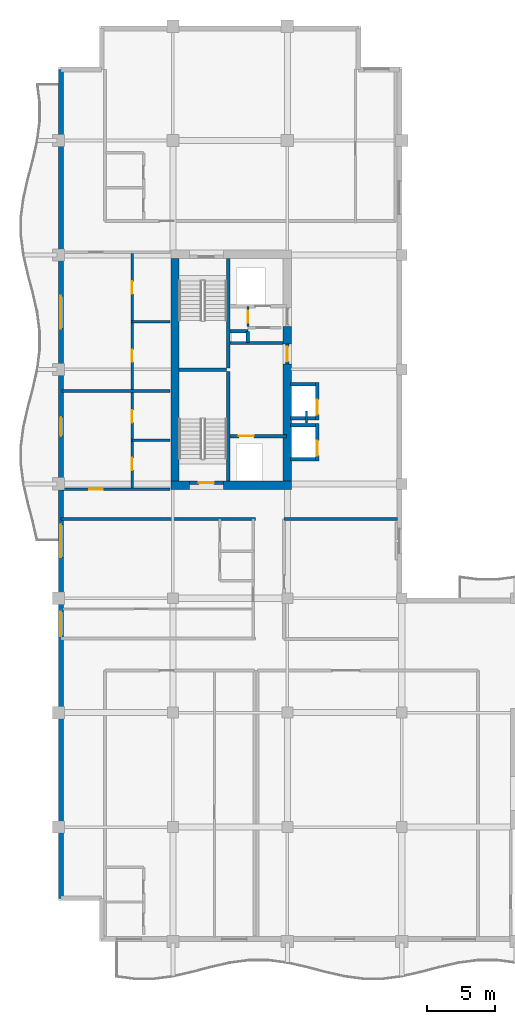
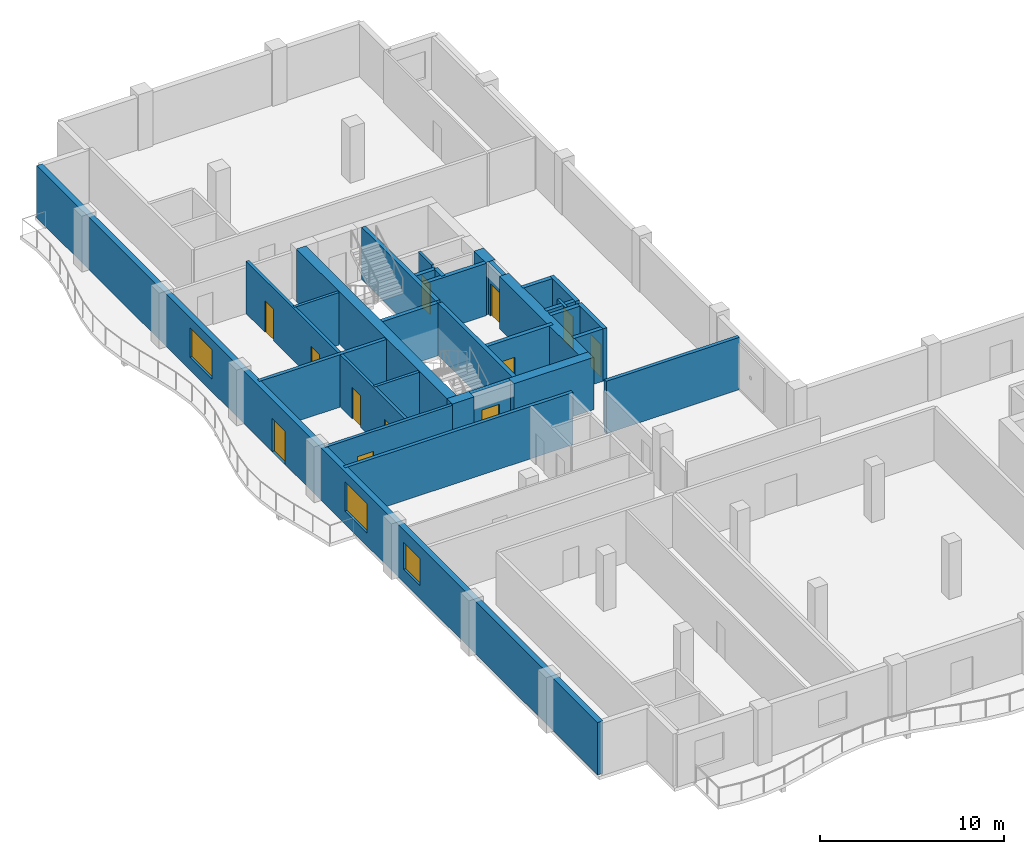
# One storey, part 6 of 12: 31 walls, 12 doors, 3 windows, 15 openings.
"""IFC4 building model written with IfcOpenShell, lengths in metres."""

from ifc_helpers import new_model, si_unit, direction, frame, frame_2d, origin, place, context, subcontext, project, spatial, rectangle, extrude, material, layer, layer_set, type_object, element, fill, save


model = new_model("IFC4")

# Units and contexts
model_context = context("Model", 3, precision=1e-05, world=origin(), true_north=direction((0.0, 1.0)))
body_context = subcontext(model_context, "Body", "Model", "MODEL_VIEW")
ifc_project = project(units=[si_unit("LENGTHUNIT", "METRE"), si_unit("AREAUNIT", "SQUARE_METRE"), si_unit("VOLUMEUNIT", "CUBIC_METRE"), si_unit("PLANEANGLEUNIT", "RADIAN"), si_unit("MASSUNIT", "GRAM", prefix="KILO")], contexts=[model_context])

# Site, building, storey
site_placement = place(None, origin())
site = spatial("IfcSite", under=ifc_project, at=site_placement, CompositionType="ELEMENT")
building_placement = place(site_placement, origin())
building = spatial("IfcBuilding", under=site, at=building_placement, Name="Koriwani Terraces Tower", CompositionType="ELEMENT")
storey_placement = place(building_placement, frame((0.0, 0.0, 271.199951171875)))
storey = spatial("IfcBuildingStorey", under=building, at=storey_placement, Name="L67", CompositionType="ELEMENT", Elevation=271.199951171875)

# Walls
ifc_material_1 = material(Name="Concrete C60/75", Category="concrete")
ifc_layer_1 = layer(ifc_material_1, 0.60009765625, Name="Concrete C60/75")
ifc_layer_set_1 = layer_set([ifc_layer_1], Name="Concrete C60/75")
wall_type_1 = type_object("IfcWallType", Name="WALL_CORE_RC_600", PredefinedType="SHEAR", material=ifc_layer_set_1)
wall_1_placement = place(storey_placement, frame((16.64990234375, 41.89990234375, 0.0), z_axis=(0.0, 0.0, 1.0), x_axis=(1.0, 0.0, 0.0)))
element("IfcWall", 1, at=wall_1_placement, inside=storey, type_object=wall_type_1, Name="L67 West Split Core Shear Wall S1", PredefinedType="SHEAR", context=body_context, shape_type="SweptSolid", body=[
    extrude(rectangle(XDim=1.35009765625, YDim=0.60009765625, at=frame_2d((0.675048828125, 0.0))), origin(), (0.0, 0.0, 1.0), 3.469970703125),
])
wall_2_placement = place(storey_placement, frame((20.5, 41.89990234375, 0.0), z_axis=(0.0, 0.0, 1.0), x_axis=(1.0, 0.0, 0.0)))
element("IfcWall", 2, at=wall_2_placement, inside=storey, type_object=wall_type_1, Name="L67 West Split Core Shear Wall S2", PredefinedType="SHEAR", context=body_context, shape_type="SweptSolid", body=[
    extrude(rectangle(XDim=5.0, YDim=0.60009765625, at=frame_2d((2.5, 0.0))), origin(), (0.0, 0.0, 1.0), 3.469970703125),
])
wall_3_placement = place(storey_placement, frame((16.949951171875, 42.199951171875, 0.0), z_axis=(0.0, 0.0, 1.0), x_axis=(0.0, 1.0, 0.0)))
element("IfcWall", 3, at=wall_3_placement, inside=storey, type_object=wall_type_1, Name="L67 West Split Core Shear Wall W1", PredefinedType="SHEAR", context=body_context, shape_type="SweptSolid", body=[
    extrude(rectangle(XDim=16.35009765625, YDim=0.60009765625, at=frame_2d((8.175048828125, 0.0))), origin(), (0.0, 0.0, 1.0), 3.469970703125),
])
wall_4_placement = place(storey_placement, frame((25.199951171875, 42.199951171875, 0.0), z_axis=(0.0, 0.0, 1.0), x_axis=(0.0, 1.0, 0.0)))
element("IfcWall", 4, at=wall_4_placement, inside=storey, type_object=wall_type_1, Name="L67 West Split Core Shear Wall E1", PredefinedType="SHEAR", context=body_context, shape_type="SweptSolid", body=[
    extrude(rectangle(XDim=8.60009765625, YDim=0.60009765625, at=frame_2d((4.300048828125, 0.0))), origin(), (0.0, 0.0, 1.0), 3.469970703125),
])
wall_5_placement = place(storey_placement, frame((25.199951171875, 52.280029296875, 0.0), z_axis=(0.0, 0.0, 1.0), x_axis=(0.0, 1.0, 0.0)))
element("IfcWall", 5, at=wall_5_placement, inside=storey, type_object=wall_type_1, Name="L67 West Split Core Shear Wall E2", PredefinedType="SHEAR", context=body_context, shape_type="SweptSolid", body=[
    extrude(rectangle(XDim=1.27001953125, YDim=0.60009765625, at=frame_2d((0.635009765625, 0.0))), origin(), (0.0, 0.0, 1.0), 3.469970703125),
])

# Wall, opening, door
ifc_material_2 = material(Name="Autoclaved Cellular Concrete Blockwork", Category="masonry")
ifc_layer_2 = layer(ifc_material_2, 0.199951171875, Name="Autoclaved Cellular Concrete Blockwork")
ifc_layer_set_2 = layer_set([ifc_layer_2], Name="Autoclaved Cellular Concrete Blockwork")
wall_type_2 = type_object("IfcWallType", Name="WALL_CORRIDOR_200", PredefinedType="PARTITIONING", material=ifc_layer_set_2)
wall_6_placement = place(storey_placement, frame((8.64990234375, 41.60009765625, 0.0), z_axis=(0.0, 0.0, 1.0), x_axis=(1.0, 0.0, 0.0)))
wall_6 = element("IfcWall", 6, at=wall_6_placement, inside=storey, type_object=wall_type_2, Name="L67 Interior Wall WRZ4-WS-L67", PredefinedType="PARTITIONING", context=body_context, shape_type="SweptSolid", body=[
    extrude(rectangle(XDim=7.9501953125, YDim=0.199951171875, at=frame_2d((3.97509765625, 0.0))), origin(), (0.0, 0.0, 1.0), 3.469970703125),
])
opening_1_placement = place(wall_6_placement, frame((2.0, 0.0, 0.0)))
opening_1 = element("IfcOpeningElement", 7, at=opening_1_placement, cuts=wall_6, Name="Opening D-05", PredefinedType="OPENING", context=body_context, shape_type="SweptSolid", body=[
    extrude(rectangle(XDim=1.0, YDim=2.14990234375, at=frame_2d((0.5, 1.074951171875))), frame((0.0, 0.10986328125, 0.0), z_axis=(0.0, -1.0, 0.0), x_axis=(1.0, 0.0, 0.0)), (0.0, 0.0, 1.0), 0.219970703125),
])
ifc_material_3 = material(Name="Architectural Oak Fire Door", Category="wood")
door_type_1 = type_object("IfcDoorType", Name="DOOR_SUITE_ENTRY_1000X2150", OperationType="NOTDEFINED", PredefinedType="DOOR", material=ifc_material_3)
door_1_placement = place(opening_1_placement, origin())
door_1 = element("IfcDoor", 8, at=door_1_placement, inside=storey, type_object=door_type_1, Name="Apartment 67RW1 Entrance Door", OperationType="SINGLE_SWING_RIGHT", OverallHeight=2.14990234375, OverallWidth=1.0, PredefinedType="DOOR", context=body_context, shape_type="SweptSolid", body=[
    extrude(rectangle(XDim=1.0, YDim=2.14990234375, at=frame_2d((0.5, 1.074951171875))), frame((0.0, 0.02490234375, 0.0), z_axis=(0.0, -1.0, 0.0), x_axis=(1.0, 0.0, 0.0)), (0.0, 0.0, 1.0), 0.050048828125),
])
fill(opening_1, door_1)

# Walls
ifc_layer_3 = layer(ifc_material_2, 0.219970703125, Name="Autoclaved Cellular Concrete Blockwork")
ifc_layer_set_3 = layer_set([ifc_layer_3], Name="Autoclaved Cellular Concrete Blockwork")
wall_type_3 = type_object("IfcWallType", Name="WALL_DEMISING_220", PredefinedType="PARTITIONING", material=ifc_layer_set_3)
wall_7_placement = place(storey_placement, frame((24.949951171875, 39.39990234375, 0.0), z_axis=(0.0, 0.0, 1.0), x_axis=(1.0, 0.0, 0.0)))
element("IfcWall", 9, at=wall_7_placement, inside=storey, type_object=wall_type_3, Name="L67 Interior Wall WIC4WN-L67", PredefinedType="PARTITIONING", context=body_context, shape_type="SweptSolid", body=[
    extrude(rectangle(XDim=8.35009765625, YDim=0.219970703125, at=frame_2d((4.175048828125, 0.0))), origin(), (0.0, 0.0, 1.0), 3.469970703125),
])
wall_8_placement = place(storey_placement, frame((8.64990234375, 48.800048828125, 0.0), z_axis=(0.0, 0.0, 1.0), x_axis=(1.0, 0.0, 0.0)))
element("IfcWall", 10, at=wall_8_placement, inside=storey, type_object=wall_type_3, Name="L67 Interior Wall WRZ4-WM-L67", PredefinedType="PARTITIONING", context=body_context, shape_type="SweptSolid", body=[
    extrude(rectangle(XDim=7.9501953125, YDim=0.219970703125, at=frame_2d((3.97509765625, 0.0))), origin(), (0.0, 0.0, 1.0), 3.469970703125),
])
wall_9_placement = place(storey_placement, frame((8.60009765625, 39.39990234375, 0.0), z_axis=(0.0, 0.0, 1.0), x_axis=(1.0, 0.0, 0.0)))
element("IfcWall", 11, at=wall_9_placement, inside=storey, type_object=wall_type_3, Name="L67 Interior Wall WRDEME-L67-NE", PredefinedType="PARTITIONING", context=body_context, shape_type="SweptSolid", body=[
    extrude(rectangle(XDim=14.27978515625, YDim=0.219970703125, at=frame_2d((7.139892578125, 0.0))), origin(), (0.0, 0.0, 1.0), 3.469970703125),
])

# Wall, openings, door, windows
ifc_material_4 = material(Name="Concrete C50/60", Category="concrete")
ifc_layer_4 = layer(ifc_material_4, 0.35009765625, Name="Concrete C50/60")
ifc_layer_set_4 = layer_set([ifc_layer_4], Name="Concrete C50/60")
wall_type_4 = type_object("IfcWallType", Name="WALL_EXT_BRUTALIST_350", PredefinedType="STANDARD", material=ifc_layer_set_4)
wall_10_placement = place(storey_placement, frame((8.574951171875, 11.574951171875, 0.0), z_axis=(0.0, 0.0, 1.0), x_axis=(0.0, 1.0, 0.0)))
wall_10 = element("IfcWall", 12, at=wall_10_placement, inside=storey, type_object=wall_type_4, Name="L67 Fair-Faced Brutalist Exterior Wall (W)", PredefinedType="STANDARD", context=body_context, shape_type="SweptSolid", body=[
    extrude(rectangle(XDim=60.85009765625, YDim=0.35009765625, at=frame_2d((30.425048828125, 0.0))), origin(), (0.0, 0.0, 1.0), 3.469970703125),
])
opening_2_placement = place(wall_10_placement, frame((33.925048828125, 0.0, 0.0)))
opening_2 = element("IfcOpeningElement", 13, at=opening_2_placement, cuts=wall_10, Name="Opening D-09", PredefinedType="OPENING", context=body_context, shape_type="SweptSolid", body=[
    extrude(rectangle(XDim=1.39990234375, YDim=2.199951171875, at=frame_2d((0.699951171875, 1.10009765625))), frame((0.0, 0.18505859375, 0.0), z_axis=(0.0, -1.0, 0.0), x_axis=(1.0, 0.0, 0.0)), (0.0, 0.0, 1.0), 0.3701171875),
])
opening_3_placement = place(wall_10_placement, frame((25.02490234375, 0.0, 0.85009765625)))
opening_3 = element("IfcOpeningElement", 14, at=opening_3_placement, cuts=wall_10, Name="Opening W-03", PredefinedType="OPENING", context=body_context, shape_type="SweptSolid", body=[
    extrude(rectangle(XDim=2.39990234375, YDim=1.949951171875, at=frame_2d((1.199951171875, 0.97509765625))), frame((0.0, 0.18505859375, 0.0), z_axis=(0.0, -1.0, 0.0), x_axis=(1.0, 0.0, 0.0)), (0.0, 0.0, 1.0), 0.3701171875),
])
opening_4_placement = place(wall_10_placement, frame((41.824951171875, 0.0, 0.85009765625)))
opening_4 = element("IfcOpeningElement", 15, at=opening_4_placement, cuts=wall_10, Name="Opening W-03", PredefinedType="OPENING", context=body_context, shape_type="SweptSolid", body=[
    extrude(rectangle(XDim=2.39990234375, YDim=1.949951171875, at=frame_2d((1.199951171875, 0.97509765625))), frame((0.0, 0.18505859375, 0.0), z_axis=(0.0, -1.0, 0.0), x_axis=(1.0, 0.0, 0.0)), (0.0, 0.0, 1.0), 0.3701171875),
])
opening_5_placement = place(wall_10_placement, frame((19.25, 0.0, 0.85009765625)))
opening_5 = element("IfcOpeningElement", 16, at=opening_5_placement, cuts=wall_10, Name="Opening W-04", PredefinedType="OPENING", context=body_context, shape_type="SweptSolid", body=[
    extrude(rectangle(XDim=1.800048828125, YDim=1.800048828125, at=frame_2d((0.89990234375, 0.89990234375))), frame((0.0, 0.18505859375, 0.0), z_axis=(0.0, -1.0, 0.0), x_axis=(1.0, 0.0, 0.0)), (0.0, 0.0, 1.0), 0.3701171875),
])
ifc_material_5 = material(Name="Anodised Bronze Aluminium", Category="aluminium")
door_type_2 = type_object("IfcDoorType", Name="DOOR_BALCONY_GLAZED_1400X2200", OperationType="NOTDEFINED", PredefinedType="DOOR", material=ifc_material_5)
door_2_placement = place(opening_2_placement, origin())
door_2 = element("IfcDoor", 17, at=door_2_placement, inside=storey, type_object=door_type_2, Name="L67 West Balcony Glazed Door", OperationType="SINGLE_SWING_LEFT", OverallHeight=2.199951171875, OverallWidth=1.39990234375, PredefinedType="DOOR", context=body_context, shape_type="SweptSolid", body=[
    extrude(rectangle(XDim=1.39990234375, YDim=2.199951171875, at=frame_2d((0.699951171875, 1.10009765625))), frame((0.0, 0.02490234375, 0.0), z_axis=(0.0, -1.0, 0.0), x_axis=(1.0, 0.0, 0.0)), (0.0, 0.0, 1.0), 0.050048828125),
])
fill(opening_2, door_2)
ifc_material_6 = material(Name="Tempered Laminated Low-E Glass", Category="glass")
window_type_1 = type_object("IfcWindowType", Name="WIN_RES_BED_1800X1800", PartitioningType="DOUBLE_PANEL_VERTICAL", PredefinedType="WINDOW", material=ifc_material_6)
window_1_placement = place(opening_5_placement, origin())
window_1 = element("IfcWindow", 18, at=window_1_placement, inside=storey, type_object=window_type_1, Name="L67 Exterior Window (W-R39)", OverallHeight=1.800048828125, OverallWidth=1.800048828125, PartitioningType="SINGLE_PANEL", PredefinedType="WINDOW", context=body_context, shape_type="SweptSolid", body=[
    extrude(rectangle(XDim=1.800048828125, YDim=1.800048828125, at=frame_2d((0.89990234375, 0.89990234375))), frame((0.0, 0.030029296875, 0.0), z_axis=(0.0, -1.0, 0.0), x_axis=(1.0, 0.0, 0.0)), (0.0, 0.0, 1.0), 0.06005859375),
])
fill(opening_5, window_1)
window_type_2 = type_object("IfcWindowType", Name="WIN_RES_LIVING_2400X1950", PartitioningType="DOUBLE_PANEL_VERTICAL", PredefinedType="WINDOW", material=ifc_material_6)
window_2_placement = place(opening_3_placement, origin())
window_2 = element("IfcWindow", 19, at=window_2_placement, inside=storey, type_object=window_type_2, Name="L67 Exterior Window (W-9)", OverallHeight=1.949951171875, OverallWidth=2.39990234375, PartitioningType="SINGLE_PANEL", PredefinedType="WINDOW", context=body_context, shape_type="SweptSolid", body=[
    extrude(rectangle(XDim=2.39990234375, YDim=1.949951171875, at=frame_2d((1.199951171875, 0.97509765625))), frame((0.0, 0.030029296875, 0.0), z_axis=(0.0, -1.0, 0.0), x_axis=(1.0, 0.0, 0.0)), (0.0, 0.0, 1.0), 0.06005859375),
])
fill(opening_3, window_2)
window_3_placement = place(opening_4_placement, origin())
window_3 = element("IfcWindow", 20, at=window_3_placement, inside=storey, type_object=window_type_2, Name="L67 Exterior Window (W-15)", OverallHeight=1.949951171875, OverallWidth=2.39990234375, PartitioningType="SINGLE_PANEL", PredefinedType="WINDOW", context=body_context, shape_type="SweptSolid", body=[
    extrude(rectangle(XDim=2.39990234375, YDim=1.949951171875, at=frame_2d((1.199951171875, 0.97509765625))), frame((0.0, 0.030029296875, 0.0), z_axis=(0.0, -1.0, 0.0), x_axis=(1.0, 0.0, 0.0)), (0.0, 0.0, 1.0), 0.06005859375),
])
fill(opening_4, window_3)

# Wall, openings, doors
ifc_material_7 = material(Name="Fire-Rated Acoustic Gypsum Partition", Category="masonry")
ifc_layer_5 = layer(ifc_material_7, 0.179931640625, Name="Fire-Rated Acoustic Gypsum Partition")
ifc_layer_set_5 = layer_set([ifc_layer_5], Name="Fire-Rated Acoustic Gypsum Partition")
wall_type_5 = type_object("IfcWallType", Name="WALL_PLUMBING_180", PredefinedType="PLUMBINGWALL", material=ifc_layer_set_5)
wall_11_placement = place(storey_placement, frame((13.800048828125, 41.699951171875, 0.0), z_axis=(0.0, 0.0, 1.0), x_axis=(0.0, 1.0, 0.0)))
wall_11 = element("IfcWall", 21, at=wall_11_placement, inside=storey, type_object=wall_type_5, Name="L67 Interior Wall WRZ4-RW1-PB-L67", PredefinedType="PLUMBINGWALL", context=body_context, shape_type="SweptSolid", body=[
    extrude(rectangle(XDim=7.0, YDim=0.179931640625, at=frame_2d((3.5, 0.0))), origin(), (0.0, 0.0, 1.0), 3.469970703125),
])
opening_6_placement = place(wall_11_placement, frame((1.300048828125, 0.0, 0.0)))
opening_6 = element("IfcOpeningElement", 22, at=opening_6_placement, cuts=wall_11, Name="Opening D-07", PredefinedType="OPENING", context=body_context, shape_type="SweptSolid", body=[
    extrude(rectangle(XDim=0.89990234375, YDim=2.10009765625, at=frame_2d((0.449951171875, 1.050048828125))), frame((0.0, 0.10009765625, 0.0), z_axis=(0.0, -1.0, 0.0), x_axis=(1.0, 0.0, 0.0)), (0.0, 0.0, 1.0), 0.199951171875),
])
opening_7_placement = place(wall_11_placement, frame((4.7900390625, 0.0, 0.0)))
opening_7 = element("IfcOpeningElement", 23, at=opening_7_placement, cuts=wall_11, Name="Opening D-06", PredefinedType="OPENING", context=body_context, shape_type="SweptSolid", body=[
    extrude(rectangle(XDim=0.919921875, YDim=2.10009765625, at=frame_2d((0.4599609375, 1.050048828125))), frame((0.0, 0.10009765625, 0.0), z_axis=(0.0, -1.0, 0.0), x_axis=(1.0, 0.0, 0.0)), (0.0, 0.0, 1.0), 0.199951171875),
])
door_type_3 = type_object("IfcDoorType", Name="DOOR_BATH_INT_900X2100", OperationType="NOTDEFINED", PredefinedType="DOOR", material=ifc_material_3)
door_3_placement = place(opening_6_placement, origin())
door_3 = element("IfcDoor", 24, at=door_3_placement, inside=storey, type_object=door_type_3, Name="Apartment 67RW1 Bathroom Door", OperationType="SINGLE_SWING_RIGHT", OverallHeight=2.10009765625, OverallWidth=0.89990234375, PredefinedType="DOOR", context=body_context, shape_type="SweptSolid", body=[
    extrude(rectangle(XDim=0.89990234375, YDim=2.10009765625, at=frame_2d((0.449951171875, 1.050048828125))), frame((0.0, 0.02490234375, 0.0), z_axis=(0.0, -1.0, 0.0), x_axis=(1.0, 0.0, 0.0)), (0.0, 0.0, 1.0), 0.050048828125),
])
fill(opening_6, door_3)
door_type_4 = type_object("IfcDoorType", Name="DOOR_ROOM_INT_920X2100", OperationType="NOTDEFINED", PredefinedType="DOOR", material=ifc_material_3)
door_4_placement = place(opening_7_placement, origin())
door_4 = element("IfcDoor", 25, at=door_4_placement, inside=storey, type_object=door_type_4, Name="Apartment 67RW1 Kitchen Door", OperationType="SINGLE_SWING_LEFT", OverallHeight=2.10009765625, OverallWidth=0.919921875, PredefinedType="DOOR", context=body_context, shape_type="SweptSolid", body=[
    extrude(rectangle(XDim=0.919921875, YDim=2.10009765625, at=frame_2d((0.4599609375, 1.050048828125))), frame((0.0, 0.02490234375, 0.0), z_axis=(0.0, -1.0, 0.0), x_axis=(1.0, 0.0, 0.0)), (0.0, 0.0, 1.0), 0.050048828125),
])
fill(opening_7, door_4)

# Wall
wall_12_placement = place(storey_placement, frame((13.800048828125, 45.199951171875, 0.0), z_axis=(0.0, 0.0, 1.0), x_axis=(1.0, 0.0, 0.0)))
element("IfcWall", 26, at=wall_12_placement, inside=storey, type_object=wall_type_5, Name="L67 Interior Wall WRZ4-RW1-P2-L67", PredefinedType="PLUMBINGWALL", context=body_context, shape_type="SweptSolid", body=[
    extrude(rectangle(XDim=2.800048828125, YDim=0.179931640625, at=frame_2d((1.39990234375, 0.0))), origin(), (0.0, 0.0, 1.0), 3.469970703125),
])

# Wall, openings, doors
wall_13_placement = place(storey_placement, frame((13.800048828125, 48.89990234375, 0.0), z_axis=(0.0, 0.0, 1.0), x_axis=(0.0, 1.0, 0.0)))
wall_13 = element("IfcWall", 27, at=wall_13_placement, inside=storey, type_object=wall_type_5, Name="L67 Interior Wall WRZ4-RW2-PB-L67", PredefinedType="PLUMBINGWALL", context=body_context, shape_type="SweptSolid", body=[
    extrude(rectangle(XDim=10.0, YDim=0.179931640625, at=frame_2d((5.0, 0.0))), origin(), (0.0, 0.0, 1.0), 3.469970703125),
])
opening_8_placement = place(wall_13_placement, frame((2.050048828125, 0.0, 0.0)))
opening_8 = element("IfcOpeningElement", 28, at=opening_8_placement, cuts=wall_13, Name="Opening D-07", PredefinedType="OPENING", context=body_context, shape_type="SweptSolid", body=[
    extrude(rectangle(XDim=0.89990234375, YDim=2.10009765625, at=frame_2d((0.449951171875, 1.050048828125))), frame((0.0, 0.10009765625, 0.0), z_axis=(0.0, -1.0, 0.0), x_axis=(1.0, 0.0, 0.0)), (0.0, 0.0, 1.0), 0.199951171875),
])
opening_9_placement = place(wall_13_placement, frame((7.0400390625, 0.0, 0.0)))
opening_9 = element("IfcOpeningElement", 29, at=opening_9_placement, cuts=wall_13, Name="Opening D-06", PredefinedType="OPENING", context=body_context, shape_type="SweptSolid", body=[
    extrude(rectangle(XDim=0.919921875, YDim=2.10009765625, at=frame_2d((0.4599609375, 1.050048828125))), frame((0.0, 0.10009765625, 0.0), z_axis=(0.0, -1.0, 0.0), x_axis=(1.0, 0.0, 0.0)), (0.0, 0.0, 1.0), 0.199951171875),
])
door_5_placement = place(opening_8_placement, origin())
door_5 = element("IfcDoor", 30, at=door_5_placement, inside=storey, type_object=door_type_3, Name="Apartment 67RW2 Bathroom Door", OperationType="SINGLE_SWING_RIGHT", OverallHeight=2.10009765625, OverallWidth=0.89990234375, PredefinedType="DOOR", context=body_context, shape_type="SweptSolid", body=[
    extrude(rectangle(XDim=0.89990234375, YDim=2.10009765625, at=frame_2d((0.449951171875, 1.050048828125))), frame((0.0, 0.02490234375, 0.0), z_axis=(0.0, -1.0, 0.0), x_axis=(1.0, 0.0, 0.0)), (0.0, 0.0, 1.0), 0.050048828125),
])
fill(opening_8, door_5)
door_6_placement = place(opening_9_placement, origin())
door_6 = element("IfcDoor", 31, at=door_6_placement, inside=storey, type_object=door_type_4, Name="Apartment 67RW2 Kitchen Door", OperationType="SINGLE_SWING_LEFT", OverallHeight=2.10009765625, OverallWidth=0.919921875, PredefinedType="DOOR", context=body_context, shape_type="SweptSolid", body=[
    extrude(rectangle(XDim=0.919921875, YDim=2.10009765625, at=frame_2d((0.4599609375, 1.050048828125))), frame((0.0, 0.02490234375, 0.0), z_axis=(0.0, -1.0, 0.0), x_axis=(1.0, 0.0, 0.0)), (0.0, 0.0, 1.0), 0.050048828125),
])
fill(opening_9, door_6)

# Walls
wall_14_placement = place(storey_placement, frame((13.800048828125, 53.89990234375, 0.0), z_axis=(0.0, 0.0, 1.0), x_axis=(1.0, 0.0, 0.0)))
element("IfcWall", 32, at=wall_14_placement, inside=storey, type_object=wall_type_5, Name="L67 Interior Wall WRZ4-RW2-P2-L67", PredefinedType="PLUMBINGWALL", context=body_context, shape_type="SweptSolid", body=[
    extrude(rectangle(XDim=2.800048828125, YDim=0.179931640625, at=frame_2d((1.39990234375, 0.0))), origin(), (0.0, 0.0, 1.0), 3.469970703125),
])
ifc_material_8 = material(Name="Concrete C40/50", Category="concrete")
ifc_layer_6 = layer(ifc_material_8, 0.25, Name="Concrete C40/50")
ifc_layer_set_6 = layer_set([ifc_layer_6], Name="Concrete C40/50")
wall_type_6 = type_object("IfcWallType", Name="WALL_SHAFT_RATED_250", PredefinedType="SOLIDWALL", material=ifc_layer_set_6)
for number, where, z_axis, x_axis, name in (
    (33, (20.875, 42.199951171875, 0.0), (0.0, 0.0, 1.0), (0.0, 1.0, 0.0), "L67 West Split Core Web Wall MID1"),
    (34, (20.875, 50.5, 0.0), (0.0, 0.0, 1.0), (0.0, 1.0, 0.0), "L67 West Split Core Web Wall MID2"),
):
    element("IfcWall", number, at=place(storey_placement, frame(where, z_axis=z_axis, x_axis=x_axis)), inside=storey, type_object=wall_type_6, Name=name, PredefinedType="SOLIDWALL", context=body_context, shape_type="SweptSolid", body=[
        extrude(rectangle(XDim=8.050048828125, YDim=0.25, at=frame_2d((4.02490234375, 0.0))), origin(), (0.0, 0.0, 1.0), 3.469970703125),
    ])
wall_15_placement = place(storey_placement, frame((17.25, 50.375, 0.0), z_axis=(0.0, 0.0, 1.0), x_axis=(1.0, 0.0, 0.0)))
element("IfcWall", 35, at=wall_15_placement, inside=storey, type_object=wall_type_6, Name="L67 West Split Core Stair Dividing Wall", PredefinedType="SOLIDWALL", context=body_context, shape_type="SweptSolid", body=[
    extrude(rectangle(XDim=3.5, YDim=0.25, at=frame_2d((1.75, 0.0))), origin(), (0.0, 0.0, 1.0), 3.469970703125),
])

# Wall, opening, door
wall_16_placement = place(storey_placement, frame((18.0, 42.074951171875, 0.0), z_axis=(0.0, 0.0, 1.0), x_axis=(1.0, 0.0, 0.0)))
wall_16 = element("IfcWall", 36, at=wall_16_placement, inside=storey, type_object=wall_type_6, Name="L67 Interior Wall WIN-CW-L67-STS", PredefinedType="SOLIDWALL", context=body_context, shape_type="SweptSolid", body=[
    extrude(rectangle(XDim=2.5, YDim=0.25, at=frame_2d((1.25, 0.0))), origin(), (0.0, 0.0, 1.0), 3.469970703125),
])
opening_10_placement = place(wall_16_placement, frame((0.699951171875, 0.0, 0.0)))
opening_10 = element("IfcOpeningElement", 37, at=opening_10_placement, cuts=wall_16, Name="Opening D-03", PredefinedType="OPENING", context=body_context, shape_type="SweptSolid", body=[
    extrude(rectangle(XDim=1.10009765625, YDim=2.14990234375, at=frame_2d((0.550048828125, 1.074951171875))), frame((0.0, 0.135009765625, 0.0), z_axis=(0.0, -1.0, 0.0), x_axis=(1.0, 0.0, 0.0)), (0.0, 0.0, 1.0), 0.27001953125),
])
ifc_material_9 = material(Name="Steel ASTM A572 Grade 50", Category="steel")
door_type_5 = type_object("IfcDoorType", Name="DOOR_STAIR_FIRE_1100X2150", OperationType="NOTDEFINED", PredefinedType="DOOR", material=ifc_material_9)
door_7_placement = place(opening_10_placement, origin())
door_7 = element("IfcDoor", 38, at=door_7_placement, inside=storey, type_object=door_type_5, Name="L67 Exit Stair ST-W1 Door", OperationType="SINGLE_SWING_LEFT", OverallHeight=2.14990234375, OverallWidth=1.10009765625, PredefinedType="DOOR", context=body_context, shape_type="SweptSolid", body=[
    extrude(rectangle(XDim=1.10009765625, YDim=2.14990234375, at=frame_2d((0.550048828125, 1.074951171875))), frame((0.0, 0.02490234375, 0.0), z_axis=(0.0, -1.0, 0.0), x_axis=(1.0, 0.0, 0.0)), (0.0, 0.0, 1.0), 0.050048828125),
])
fill(opening_10, door_7)

wall_17_placement = place(storey_placement, frame((21.0, 45.5, 0.0), z_axis=(0.0, 0.0, 1.0), x_axis=(1.0, 0.0, 0.0)))
wall_17 = element("IfcWall", 39, at=wall_17_placement, inside=storey, type_object=wall_type_6, Name="L67 Interior Wall WIN-CW-L67-FE", PredefinedType="SOLIDWALL", context=body_context, shape_type="SweptSolid", body=[
    extrude(rectangle(XDim=4.14990234375, YDim=0.25, at=frame_2d((2.074951171875, 0.0))), origin(), (0.0, 0.0, 1.0), 3.469970703125),
])
opening_11_placement = place(wall_17_placement, frame((0.64990234375, 0.0, 0.0)))
opening_11 = element("IfcOpeningElement", 40, at=opening_11_placement, cuts=wall_17, Name="Opening LD-01", PredefinedType="OPENING", context=body_context, shape_type="SweptSolid", body=[
    extrude(rectangle(XDim=1.10009765625, YDim=2.14990234375, at=frame_2d((0.550048828125, 1.074951171875))), frame((0.0, 0.135009765625, 0.0), z_axis=(0.0, -1.0, 0.0), x_axis=(1.0, 0.0, 0.0)), (0.0, 0.0, 1.0), 0.27001953125),
])
door_type_6 = type_object("IfcDoorType", Name="DOOR_LIFT_LANDING_1100X2200", OperationType="NOTDEFINED", PredefinedType="DOOR", material=ifc_material_9)
door_8_placement = place(opening_11_placement, origin())
door_8 = element("IfcDoor", 41, at=door_8_placement, inside=storey, type_object=door_type_6, Name="L67 Firefighting Lift FE-01 Landing Door", OperationType="SLIDING_TO_LEFT", OverallHeight=2.14990234375, OverallWidth=1.10009765625, PredefinedType="DOOR", context=body_context, shape_type="SweptSolid", body=[
    extrude(rectangle(XDim=1.10009765625, YDim=2.14990234375, at=frame_2d((0.550048828125, 1.074951171875))), frame((0.0, 0.02490234375, 0.0), z_axis=(0.0, -1.0, 0.0), x_axis=(1.0, 0.0, 0.0)), (0.0, 0.0, 1.0), 0.050048828125),
])
fill(opening_11, door_8)

wall_18_placement = place(storey_placement, frame((25.199951171875, 50.800048828125, 0.0), z_axis=(0.0, 0.0, 1.0), x_axis=(0.0, 1.0, 0.0)))
wall_18 = element("IfcWall", 42, at=wall_18_placement, inside=storey, type_object=wall_type_6, Name="L67 Interior Wall WIN-CW-L67-EP", PredefinedType="SOLIDWALL", context=body_context, shape_type="SweptSolid", body=[
    extrude(rectangle(XDim=1.47998046875, YDim=0.25, at=frame_2d((0.739990234375, 0.0))), origin(), (0.0, 0.0, 1.0), 3.469970703125),
])
opening_12_placement = place(wall_18_placement, frame((0.179931640625, 0.0, 0.0)))
opening_12 = element("IfcOpeningElement", 43, at=opening_12_placement, cuts=wall_18, Name="Opening D-03", PredefinedType="OPENING", context=body_context, shape_type="SweptSolid", body=[
    extrude(rectangle(XDim=1.10009765625, YDim=2.14990234375, at=frame_2d((0.550048828125, 1.074951171875))), frame((0.0, 0.135009765625, 0.0), z_axis=(0.0, -1.0, 0.0), x_axis=(1.0, 0.0, 0.0)), (0.0, 0.0, 1.0), 0.27001953125),
])
door_9_placement = place(opening_12_placement, origin())
door_9 = element("IfcDoor", 44, at=door_9_placement, inside=storey, type_object=door_type_5, Name="L67 West Firefighting Lobby Door", OperationType="SINGLE_SWING_LEFT", OverallHeight=2.14990234375, OverallWidth=1.10009765625, PredefinedType="DOOR", context=body_context, shape_type="SweptSolid", body=[
    extrude(rectangle(XDim=1.10009765625, YDim=2.14990234375, at=frame_2d((0.550048828125, 1.074951171875))), frame((0.0, 0.02490234375, 0.0), z_axis=(0.0, -1.0, 0.0), x_axis=(1.0, 0.0, 0.0)), (0.0, 0.0, 1.0), 0.050048828125),
])
fill(opening_12, door_9)

# Walls
wall_19_placement = place(storey_placement, frame((21.0, 52.340087890625, 0.0), z_axis=(0.0, 0.0, 1.0), x_axis=(1.0, 0.0, 0.0)))
element("IfcWall", 45, at=wall_19_placement, inside=storey, type_object=wall_type_6, Name="L67 Interior Wall WIN-CW-L67-FFN", PredefinedType="SOLIDWALL", context=body_context, shape_type="SweptSolid", body=[
    extrude(rectangle(XDim=3.89990234375, YDim=0.25, at=frame_2d((1.949951171875, 0.0))), origin(), (0.0, 0.0, 1.0), 3.469970703125),
])
wall_20_placement = place(storey_placement, frame((21.0, 53.199951171875, 0.0), z_axis=(0.0, 0.0, 1.0), x_axis=(1.0, 0.0, 0.0)))
element("IfcWall", 46, at=wall_20_placement, inside=storey, type_object=wall_type_6, Name="L67 Interior Wall WIN-CW-L67-RS1", PredefinedType="SOLIDWALL", context=body_context, shape_type="SweptSolid", body=[
    extrude(rectangle(XDim=1.300048828125, YDim=0.25, at=frame_2d((0.64990234375, 0.0))), origin(), (0.0, 0.0, 1.0), 3.469970703125),
])
wall_21_placement = place(storey_placement, frame((22.300048828125, 52.360107421875, 0.0), z_axis=(0.0, 0.0, 1.0), x_axis=(0.0, 1.0, 0.0)))
element("IfcWall", 47, at=wall_21_placement, inside=storey, type_object=wall_type_6, Name="L67 Interior Wall WIN-CW-L67-RS2", PredefinedType="SOLIDWALL", context=body_context, shape_type="SweptSolid", body=[
    extrude(rectangle(XDim=0.83984375, YDim=0.25, at=frame_2d((0.419921875, 0.0))), origin(), (0.0, 0.0, 1.0), 3.469970703125),
])

# Wall, opening, door
wall_22_placement = place(storey_placement, frame((27.39990234375, 43.675048828125, 0.0), z_axis=(0.0, 0.0, 1.0), x_axis=(0.0, 1.0, 0.0)))
wall_22 = element("IfcWall", 48, at=wall_22_placement, inside=storey, type_object=wall_type_6, Name="L67 Interior Wall WIN-LF-PE-H1-L67-F", PredefinedType="SOLIDWALL", context=body_context, shape_type="SweptSolid", body=[
    extrude(rectangle(XDim=2.75, YDim=0.25, at=frame_2d((1.375, 0.0))), origin(), (0.0, 0.0, 1.0), 3.469970703125),
])
opening_13_placement = place(wall_22_placement, frame((0.39990234375, 0.0, 0.0)))
opening_13 = element("IfcOpeningElement", 49, at=opening_13_placement, cuts=wall_22, Name="Opening LD-01", PredefinedType="OPENING", context=body_context, shape_type="SweptSolid", body=[
    extrude(rectangle(XDim=1.10009765625, YDim=2.14990234375, at=frame_2d((0.550048828125, 1.074951171875))), frame((0.0, 0.135009765625, 0.0), z_axis=(0.0, -1.0, 0.0), x_axis=(1.0, 0.0, 0.0)), (0.0, 0.0, 1.0), 0.27001953125),
])
door_10_placement = place(opening_13_placement, origin())
door_10 = element("IfcDoor", 50, at=door_10_placement, inside=storey, type_object=door_type_6, Name="L67 Passenger Lift PE-H1 Landing Door", OperationType="SLIDING_TO_LEFT", OverallHeight=2.14990234375, OverallWidth=1.10009765625, PredefinedType="DOOR", context=body_context, shape_type="SweptSolid", body=[
    extrude(rectangle(XDim=1.10009765625, YDim=2.14990234375, at=frame_2d((0.550048828125, 1.074951171875))), frame((0.0, 0.02490234375, 0.0), z_axis=(0.0, -1.0, 0.0), x_axis=(1.0, 0.0, 0.0)), (0.0, 0.0, 1.0), 0.050048828125),
])
fill(opening_13, door_10)

# Walls
for number, where, z_axis, x_axis, name in (
    (51, (25.449951171875, 43.800048828125, 0.0), (0.0, 0.0, 1.0), (1.0, 0.0, 0.0), "L67 Interior Wall WIN-LF-PE-H1-L67-S"),
    (52, (25.449951171875, 46.300048828125, 0.0), (0.0, 0.0, 1.0), (1.0, 0.0, 0.0), "L67 Interior Wall WIN-LF-PE-H1-L67-N"),
):
    element("IfcWall", number, at=place(storey_placement, frame(where, z_axis=z_axis, x_axis=x_axis)), inside=storey, type_object=wall_type_6, Name=name, PredefinedType="SOLIDWALL", context=body_context, shape_type="SweptSolid", body=[
        extrude(rectangle(XDim=1.824951171875, YDim=0.25, at=frame_2d((0.91259765625, 0.0))), origin(), (0.0, 0.0, 1.0), 3.469970703125),
    ])

# Wall, opening, door
wall_23_placement = place(storey_placement, frame((27.39990234375, 46.675048828125, 0.0), z_axis=(0.0, 0.0, 1.0), x_axis=(0.0, 1.0, 0.0)))
wall_23 = element("IfcWall", 53, at=wall_23_placement, inside=storey, type_object=wall_type_6, Name="L67 Interior Wall WIN-LF-PE-H2-L67-F", PredefinedType="SOLIDWALL", context=body_context, shape_type="SweptSolid", body=[
    extrude(rectangle(XDim=2.75, YDim=0.25, at=frame_2d((1.375, 0.0))), origin(), (0.0, 0.0, 1.0), 3.469970703125),
])
opening_14_placement = place(wall_23_placement, frame((0.39990234375, 0.0, 0.0)))
opening_14 = element("IfcOpeningElement", 54, at=opening_14_placement, cuts=wall_23, Name="Opening LD-01", PredefinedType="OPENING", context=body_context, shape_type="SweptSolid", body=[
    extrude(rectangle(XDim=1.10009765625, YDim=2.14990234375, at=frame_2d((0.550048828125, 1.074951171875))), frame((0.0, 0.135009765625, 0.0), z_axis=(0.0, -1.0, 0.0), x_axis=(1.0, 0.0, 0.0)), (0.0, 0.0, 1.0), 0.27001953125),
])
door_11_placement = place(opening_14_placement, origin())
door_11 = element("IfcDoor", 55, at=door_11_placement, inside=storey, type_object=door_type_6, Name="L67 Passenger Lift PE-H2 Landing Door", OperationType="SLIDING_TO_LEFT", OverallHeight=2.14990234375, OverallWidth=1.10009765625, PredefinedType="DOOR", context=body_context, shape_type="SweptSolid", body=[
    extrude(rectangle(XDim=1.10009765625, YDim=2.14990234375, at=frame_2d((0.550048828125, 1.074951171875))), frame((0.0, 0.02490234375, 0.0), z_axis=(0.0, -1.0, 0.0), x_axis=(1.0, 0.0, 0.0)), (0.0, 0.0, 1.0), 0.050048828125),
])
fill(opening_14, door_11)

# Walls
for number, where, z_axis, x_axis, name in (
    (56, (25.449951171875, 46.800048828125, 0.0), (0.0, 0.0, 1.0), (1.0, 0.0, 0.0), "L67 Interior Wall WIN-LF-PE-H2-L67-S"),
    (57, (25.449951171875, 49.300048828125, 0.0), (0.0, 0.0, 1.0), (1.0, 0.0, 0.0), "L67 Interior Wall WIN-LF-PE-H2-L67-N"),
):
    element("IfcWall", number, at=place(storey_placement, frame(where, z_axis=z_axis, x_axis=x_axis)), inside=storey, type_object=wall_type_6, Name=name, PredefinedType="SOLIDWALL", context=body_context, shape_type="SweptSolid", body=[
        extrude(rectangle(XDim=1.824951171875, YDim=0.25, at=frame_2d((0.91259765625, 0.0))), origin(), (0.0, 0.0, 1.0), 3.469970703125),
    ])

# Wall, opening, door
ifc_layer_7 = layer(ifc_material_7, 0.159912109375, Name="Fire-Rated Acoustic Gypsum Partition")
ifc_layer_set_7 = layer_set([ifc_layer_7], Name="Fire-Rated Acoustic Gypsum Partition")
wall_type_7 = type_object("IfcWallType", Name="WALL_SUITE_160", PredefinedType="PARTITIONING", material=ifc_layer_set_7)
wall_24_placement = place(storey_placement, frame((22.320068359375, 53.56005859375, 0.0), z_axis=(0.0, 0.0, 1.0), x_axis=(0.0, 1.0, 0.0)))
wall_24 = element("IfcWall", 58, at=wall_24_placement, inside=storey, type_object=wall_type_7, Name="L67 Interior Wall WIN-CW-L67-SV1A", PredefinedType="PARTITIONING", context=body_context, shape_type="SweptSolid", body=[
    extrude(rectangle(XDim=1.43994140625, YDim=0.159912109375, at=frame_2d((0.719970703125, 0.0))), origin(), (0.0, 0.0, 1.0), 3.469970703125),
])
opening_15_placement = place(wall_24_placement, frame((0.260009765625, 0.0, 0.0)))
opening_15 = element("IfcOpeningElement", 59, at=opening_15_placement, cuts=wall_24, Name="Opening D-07", PredefinedType="OPENING", context=body_context, shape_type="SweptSolid", body=[
    extrude(rectangle(XDim=0.89990234375, YDim=2.10009765625, at=frame_2d((0.449951171875, 1.050048828125))), frame((0.0, 0.08984375, 0.0), z_axis=(0.0, -1.0, 0.0), x_axis=(1.0, 0.0, 0.0)), (0.0, 0.0, 1.0), 0.179931640625),
])
door_12_placement = place(opening_15_placement, origin())
door_12 = element("IfcDoor", 60, at=door_12_placement, inside=storey, type_object=door_type_3, Name="L67 West Telecom Room Door", OperationType="SINGLE_SWING_LEFT", OverallHeight=2.10009765625, OverallWidth=0.89990234375, PredefinedType="DOOR", context=body_context, shape_type="SweptSolid", body=[
    extrude(rectangle(XDim=0.89990234375, YDim=2.10009765625, at=frame_2d((0.449951171875, 1.050048828125))), frame((0.0, 0.02490234375, 0.0), z_axis=(0.0, -1.0, 0.0), x_axis=(1.0, 0.0, 0.0)), (0.0, 0.0, 1.0), 0.050048828125),
])
fill(opening_15, door_12)

# Wall
wall_25_placement = place(storey_placement, frame((26.60009765625, 46.4599609375, 0.0), z_axis=(0.0, 0.0, 1.0), x_axis=(0.0, 1.0, 0.0)))
element("IfcWall", 61, at=wall_25_placement, inside=storey, type_object=wall_type_7, Name="L67 Interior Wall WIN-LF-PEH12-MID-L67", PredefinedType="PARTITIONING", context=body_context, shape_type="SweptSolid", body=[
    extrude(rectangle(XDim=0.880126953125, YDim=0.159912109375, at=frame_2d((0.43994140625, 0.0))), origin(), (0.0, 0.0, 1.0), 3.469970703125),
])

save(model, "model.ifc")
